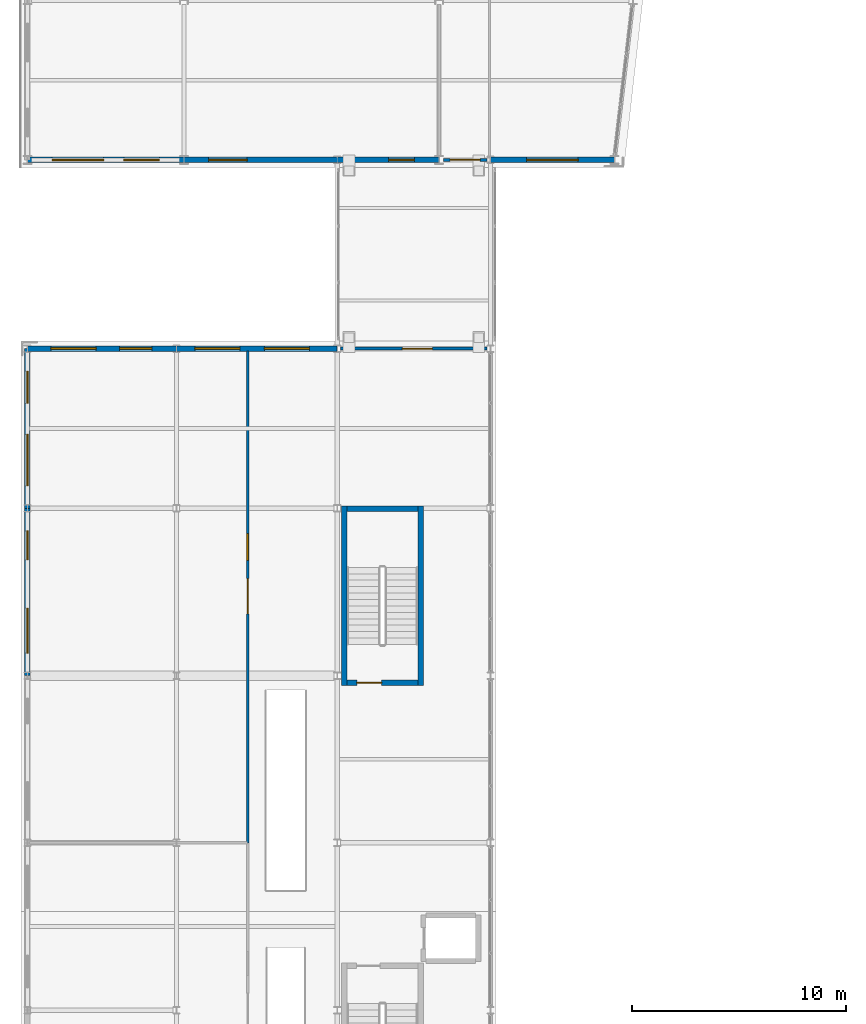
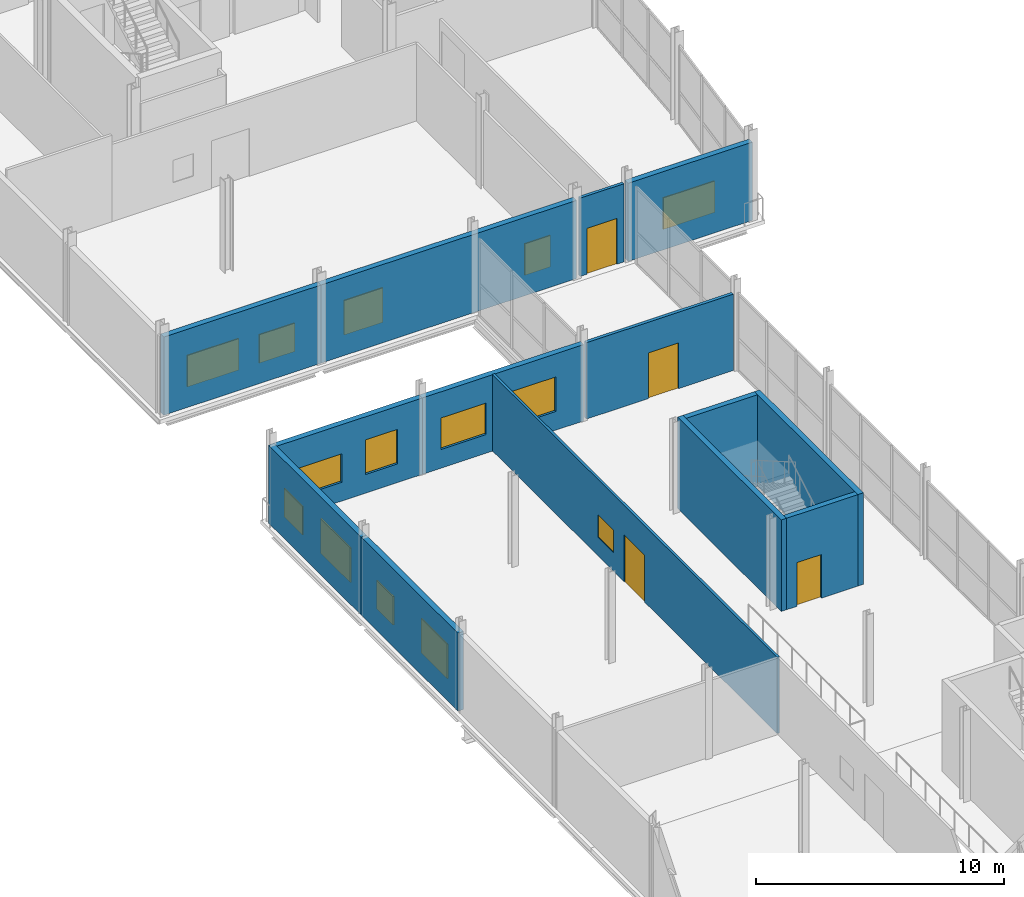
# One storey, part 63 of 77: 14 walls, 14 windows, 4 doors, 18 openings.
"""IFC4 building model written with IfcOpenShell, lengths in metres."""

import ifcopenshell
import ifcopenshell.guid

model = None  # the IFC model being written
_history = None  # IfcOwnerHistory: only IFC2X3 demands one
_inside = {}  # id of a spatial element -> (the spatial element, [elements in it])
_under = {}  # id of a project, library or spatial element -> (it, [spatial elements below it])
_declared = {}  # id of a project -> (the project, [libraries it declares])
_typed = {}  # id of a type object -> (the type object, [elements of that type])
_made_of = {}  # id of a material, layer set ... -> (it, [elements and type objects made of it])


def new_model(schema):
    """Start an empty IFC model of exactly this schema.

    Asked for "IFC4X3", IfcOpenShell would pick the latest addendum, in which some entities
    have other attributes; the version numbers below select the first issue.
    IFC2X3 requires an IfcOwnerHistory on every rooted entity: one is made here for all.
    """
    global model, _history
    if schema == "IFC4X3":
        model = ifcopenshell.file(schema_version=(4, 3, 0, 0))
    else:
        model = ifcopenshell.file(schema=schema)
    _inside.clear()
    _under.clear()
    _declared.clear()
    _typed.clear()
    _made_of.clear()
    _history = None
    if model.schema == "IFC2X3":
        org = make("IfcOrganization", Name="unknown")
        user = make(
            "IfcPersonAndOrganization",
            ThePerson=make("IfcPerson", FamilyName="unknown"),
            TheOrganization=org,
        )
        app = make(
            "IfcApplication",
            ApplicationDeveloper=org,
            Version="unknown",
            ApplicationFullName="unknown",
            ApplicationIdentifier="unknown",
        )
        _history = make(
            "IfcOwnerHistory",
            OwningUser=user,
            OwningApplication=app,
            ChangeAction="ADDED",
            CreationDate=0,
        )
    return model


def make(cls, **values):
    """One entity of the class cls with the attributes given. An attribute that is None is left unset."""
    return model.create_entity(
        cls, **{name: value for name, value in values.items() if value is not None}
    )


def rooted(cls, **values):
    """An entity with a GlobalId (a new one), such as an element, a storey or a relation."""
    return make(cls, GlobalId=ifcopenshell.guid.new(), OwnerHistory=_history, **values)


def si_unit(unit_type, name, prefix=None):
    """IfcSIUnit, for example si_unit("LENGTHUNIT", "METRE", prefix="MILLI")."""
    return make("IfcSIUnit", UnitType=unit_type, Prefix=prefix, Name=name)


def assignment(units):
    """IfcUnitAssignment: the units of a project."""
    return None if units is None else make("IfcUnitAssignment", Units=units)


def point(xyz):
    """IfcCartesianPoint."""
    return None if xyz is None else make("IfcCartesianPoint", Coordinates=xyz)


def direction(xyz):
    """IfcDirection."""
    return None if xyz is None else make("IfcDirection", DirectionRatios=xyz)


def frame(location, z_axis=None, x_axis=None):
    """IfcAxis2Placement3D, a coordinate frame: its origin and axes. An axis left out is left unset."""
    return make(
        "IfcAxis2Placement3D",
        Location=point(location),
        Axis=direction(z_axis),
        RefDirection=direction(x_axis),
    )


def frame_2d(location, x_axis=None):
    """IfcAxis2Placement2D, a coordinate frame in the plane: its origin and x axis."""
    return make(
        "IfcAxis2Placement2D", Location=point(location), RefDirection=direction(x_axis)
    )


def origin():
    """The frame at (0, 0, 0) with its axes left unset."""
    return frame((0.0, 0.0, 0.0))


def place(relative_to, where):
    """IfcLocalPlacement: puts the frame where relative to a parent placement (None: the world)."""
    return make(
        "IfcLocalPlacement", PlacementRelTo=relative_to, RelativePlacement=where
    )


def context(
    kind, dimensions, precision=None, world=None, true_north=None, identifier=None
):
    """IfcGeometricRepresentationContext, for example the 3D "Model" context."""
    return make(
        "IfcGeometricRepresentationContext",
        ContextIdentifier=identifier,
        ContextType=kind,
        CoordinateSpaceDimension=dimensions,
        Precision=precision,
        WorldCoordinateSystem=world,
        TrueNorth=true_north,
    )


def subcontext(parent, identifier, kind, view, scale=None):
    """IfcGeometricRepresentationSubContext, for example "Body" below "Model"."""
    return make(
        "IfcGeometricRepresentationSubContext",
        ContextIdentifier=identifier,
        ContextType=kind,
        ParentContext=parent,
        TargetScale=scale,
        TargetView=view,
    )


def project(units=None, contexts=None):
    """IfcProject with its units and contexts."""
    return rooted(
        "IfcProject",
        Name="project",
        RepresentationContexts=contexts,
        UnitsInContext=assignment(units),
    )


def spatial(cls, under=None, at=None, **own):
    """A site, building, storey or space (cls), placed at a placement, below another one or the project."""
    s = rooted(cls, ObjectPlacement=at, **own)
    if under is not None:
        _under.setdefault(under.id(), (under, []))[1].append(s)
    return s


def profile(cls, at=None, kind="AREA", **sizes):
    """A parametric profile (cls). Its sizes go by their IFC names, for example OverallWidth=200.0."""
    return make(cls, ProfileType=kind, Position=at, **sizes)


def rectangle(**sizes):
    """IfcRectangleProfileDef."""
    return profile("IfcRectangleProfileDef", **sizes)


def extrude(swept, where, along, depth):
    """IfcExtrudedAreaSolid: the profile swept, set in the frame where, extruded along a direction by depth."""
    return make(
        "IfcExtrudedAreaSolid",
        SweptArea=swept,
        Position=where,
        ExtrudedDirection=direction(along),
        Depth=depth,
    )


def shape(context_of_items, identifier, shape_type, items):
    """IfcShapeRepresentation: the items that make up one representation, for example the "Body"."""
    return make(
        "IfcShapeRepresentation",
        ContextOfItems=context_of_items,
        RepresentationIdentifier=identifier,
        RepresentationType=shape_type,
        Items=items,
    )


def material(Name=None, Category=None):
    """IfcMaterial."""
    return make("IfcMaterial", Name=Name, Category=Category)


def layer(
    of_material, thickness, ventilated=None, Name=None, Category=None, Priority=None
):
    """IfcMaterialLayer: one layer of a wall or slab, of a material (None: an air gap)."""
    return make(
        "IfcMaterialLayer",
        Material=of_material,
        LayerThickness=thickness,
        IsVentilated=ventilated,
        Name=Name,
        Category=Category,
        Priority=Priority,
    )


def layer_set(layers, Name=None):
    """IfcMaterialLayerSet."""
    return make("IfcMaterialLayerSet", MaterialLayers=layers, LayerSetName=Name)


def made_of(thing, what):
    """Note that an element or type object is made of a material, layer set ...; save() writes the relation."""
    if what is not None:
        _made_of.setdefault(what.id(), (what, []))[1].append(thing)
    return thing


def type_object(cls, material=None, **own):
    """A type object (cls), such as IfcWallType, which elements share."""
    return made_of(rooted(cls, **own), material)


def element(
    cls,
    number,
    at=None,
    inside=None,
    cuts=None,
    type_object=None,
    material=None,
    context=None,
    identifier="Body",
    shape_type=None,
    held_by="IfcProductDefinitionShape",
    body=None,
    shapes=None,
    **own,
):
    """One element of the class cls, such as IfcWall. Its Tag is "e" and its number.

    at: its placement. inside: the storey or other place that contains it. cuts: it is an
    opening in that element (IfcRelVoidsElement). A single representation is given by context,
    identifier, shape_type and body (its items); several are given by shapes. held_by: the class
    of the entity that holds the representations. save() writes the other relations.
    """
    e = rooted(cls, Tag="e%d" % number, ObjectPlacement=at, **own)
    if body is not None:
        shapes = [shape(context, identifier, shape_type, body)]
    if shapes is not None:
        e.Representation = make(held_by, Representations=shapes)
    if inside is not None:
        _inside.setdefault(inside.id(), (inside, []))[1].append(e)
    if cuts is not None:
        rooted(
            "IfcRelVoidsElement", RelatingBuildingElement=cuts, RelatedOpeningElement=e
        )
    if type_object is not None:
        _typed.setdefault(type_object.id(), (type_object, []))[1].append(e)
    return made_of(e, material)


def fill(opening, filler):
    """IfcRelFillsElement: the door or window that sits in an opening."""
    return rooted(
        "IfcRelFillsElement",
        RelatingOpeningElement=opening,
        RelatedBuildingElement=filler,
    )


def aggregate(whole, parts):
    """IfcRelAggregates: a whole, such as a stair, and the parts it consists of."""
    return rooted("IfcRelAggregates", RelatingObject=whole, RelatedObjects=parts)


def save(model, path):
    """Write the relations noted so far, then the file.

    IfcRelAggregates (storeys below a building ...), IfcRelContainedInSpatialStructure (elements
    in a storey), IfcRelDefinesByType, IfcRelAssociatesMaterial and IfcRelDeclares: one each for
    every whole, place, type object, material and project.
    """
    for whole, parts in _under.values():
        aggregate(whole, parts)
    for where, things in _inside.values():
        rooted(
            "IfcRelContainedInSpatialStructure",
            RelatedElements=things,
            RelatingStructure=where,
        )
    for kind, things in _typed.values():
        rooted("IfcRelDefinesByType", RelatedObjects=things, RelatingType=kind)
    for what, things in _made_of.values():
        rooted("IfcRelAssociatesMaterial", RelatedObjects=things, RelatingMaterial=what)
    for by, libraries in _declared.values():
        rooted("IfcRelDeclares", RelatingContext=by, RelatedDefinitions=libraries)
    model.write(path)


model = new_model("IFC4")

# Units and contexts
model_context = context("Model", 3, precision=1e-05, world=origin(), true_north=direction((0.0, 1.0)))
body_context = subcontext(model_context, "Body", "Model", "MODEL_VIEW")
ifc_project = project(units=[si_unit("LENGTHUNIT", "METRE"), si_unit("AREAUNIT", "SQUARE_METRE"), si_unit("VOLUMEUNIT", "CUBIC_METRE"), si_unit("PLANEANGLEUNIT", "RADIAN"), si_unit("MASSUNIT", "GRAM", prefix="KILO")], contexts=[model_context])

# Site, building, storey
site_placement = place(None, origin())
site = spatial("IfcSite", under=ifc_project, at=site_placement, CompositionType="ELEMENT")
building_placement = place(site_placement, origin())
building = spatial("IfcBuilding", under=site, at=building_placement, Name="Quillay Park Conservatory", CompositionType="ELEMENT")
storey_placement = place(building_placement, frame((0.0, 0.0, 5.39990234375)))
storey = spatial("IfcBuildingStorey", under=building, at=storey_placement, Name="L01", CompositionType="ELEMENT", Elevation=5.39990234375)

# Wall, openings, window, door
ifc_material_1 = material(Name="Steel-Stud Acoustic Gypsum Board Partition", Category="steel")
ifc_layer_1 = layer(ifc_material_1, 0.114990234375)
ifc_layer_set_1 = layer_set([ifc_layer_1], Name="ACOUSTIC GYPSUM PARTITION 115 (Steel-Stud Acoustic Gypsum Board Partition)")
wall_type_1 = type_object("IfcWallType", Name="ACOUSTIC GYPSUM PARTITION 115", PredefinedType="PARTITIONING", material=ifc_layer_set_1)
wall_1_placement = place(storey_placement, frame((10.820068359375, 31.199951171875, 0.0), z_axis=(0.0, 0.0, 1.0), x_axis=(0.0, 1.0, 0.0)))
wall_1 = element("IfcWall", 1, at=wall_1_placement, inside=storey, type_object=wall_type_1, Name="L01 Education Studio East Wall", PredefinedType="PARTITIONING", context=body_context, shape_type="SweptSolid", body=[
    extrude(rectangle(XDim=22.949951171875, YDim=0.114990234375, at=frame_2d((11.47509765625, 0.0))), origin(), (0.0, 0.0, 1.0), 3.756103515625),
])
opening_1_placement = place(wall_1_placement, frame((10.675048828125, 0.0, 0.0)))
opening_1 = element("IfcOpeningElement", 2, at=opening_1_placement, cuts=wall_1, Name="Opening D-RM27", PredefinedType="OPENING", context=body_context, shape_type="SweptSolid", body=[
    extrude(rectangle(XDim=1.64990234375, YDim=2.300048828125, at=frame_2d((0.824951171875, 1.14990234375))), frame((0.0, 0.0576171875, 0.0), z_axis=(0.0, -1.0, 0.0), x_axis=(1.0, 0.0, 0.0)), (0.0, 0.0, 1.0), 0.114990234375),
])
opening_2_placement = place(wall_1_placement, frame((13.175048828125, 0.0, 0.919921875)))
opening_2 = element("IfcOpeningElement", 3, at=opening_2_placement, cuts=wall_1, Name="Opening W-IN04", PredefinedType="OPENING", context=body_context, shape_type="SweptSolid", body=[
    extrude(rectangle(XDim=1.25, YDim=1.10009765625, at=frame_2d((0.625, 0.550048828125))), frame((0.0, 0.0576171875, 0.0), z_axis=(0.0, -1.0, 0.0), x_axis=(1.0, 0.0, 0.0)), (0.0, 0.0, 1.0), 0.114990234375),
])
ifc_material_2 = material(Name="Low-E Double Glazing (Laminated Tempered)", Category="glass")
window_type_1 = type_object("IfcWindowType", Name="OPERABLE VENT WINDOW 1250 X1100", PartitioningType="SINGLE_PANEL", PredefinedType="WINDOW", material=ifc_material_2)
window_1_placement = place(opening_2_placement, origin())
window_1 = element("IfcWindow", 4, at=window_1_placement, inside=storey, type_object=window_type_1, Name="L01 Laboratory Vision Panel 004", OverallHeight=1.10009765625, OverallWidth=1.25, PartitioningType="SINGLE_PANEL", PredefinedType="WINDOW", context=body_context, shape_type="SweptSolid", body=[
    extrude(rectangle(XDim=1.25, YDim=1.10009765625, at=frame_2d((0.625, 0.550048828125))), frame((0.0, 0.030029296875, 0.0), z_axis=(0.0, -1.0, 0.0), x_axis=(1.0, 0.0, 0.0)), (0.0, 0.0, 1.0), 0.06005859375),
])
fill(opening_2, window_1)
ifc_material_3 = material(Name="Thermally Broken Anodised Aluminium 6063-T6", Category="aluminium")
door_type_1 = type_object("IfcDoorType", Name="SINGLE SWING DOOR 1650 X2300", OperationType="NOTDEFINED", PredefinedType="DOOR", material=ifc_material_3)
door_1_placement = place(opening_1_placement, origin())
door_1 = element("IfcDoor", 5, at=door_1_placement, inside=storey, type_object=door_type_1, Name="L01 Door to Youth Ethnobotany Education Studio", OperationType="SINGLE_SWING_LEFT", OverallHeight=2.300048828125, OverallWidth=1.64990234375, PredefinedType="DOOR", context=body_context, shape_type="SweptSolid", body=[
    extrude(rectangle(XDim=1.64990234375, YDim=2.300048828125, at=frame_2d((0.824951171875, 1.14990234375))), frame((0.0, 0.02490234375, 0.0), z_axis=(0.0, -1.0, 0.0), x_axis=(1.0, 0.0, 0.0)), (0.0, 0.0, 1.0), 0.050048828125),
])
fill(opening_1, door_1)

# Wall, opening, door
ifc_material_4 = material(Name="Steel-Stud Acoustic Gypsum Board Partition", Category="steel")
ifc_layer_2 = layer(ifc_material_4, 0.139892578125)
ifc_layer_set_2 = layer_set([ifc_layer_2], Name="ACOUSTIC GYPSUM PARTITION 140 (Steel-Stud Acoustic Gypsum Board Partition)")
wall_type_2 = type_object("IfcWallType", Name="ACOUSTIC GYPSUM PARTITION 140", PredefinedType="PARTITIONING", material=ifc_layer_set_2)
wall_2_placement = place(storey_placement, frame((19.949951171875, 63.050048828125, 0.0), z_axis=(0.0, 0.0, 1.0), x_axis=(1.0, 0.0, 0.0)))
wall_2 = element("IfcWall", 6, at=wall_2_placement, inside=storey, type_object=wall_type_2, Name="L01 Bridge LB-1 North Threshold Wall", PredefinedType="PARTITIONING", context=body_context, shape_type="SweptSolid", body=[
    extrude(rectangle(XDim=2.0400390625, YDim=0.139892578125, at=frame_2d((1.02001953125, 0.0))), origin(), (0.0, 0.0, 1.0), 3.84716796875),
])
opening_3_placement = place(wall_2_placement, frame((0.320068359375, 0.0, 0.0)))
opening_3 = element("IfcOpeningElement", 7, at=opening_3_placement, cuts=wall_2, Name="Opening D-LB03", PredefinedType="OPENING", context=body_context, shape_type="SweptSolid", body=[
    extrude(rectangle(XDim=1.39990234375, YDim=2.25, at=frame_2d((0.699951171875, 1.125))), frame((0.0, 0.06982421875, 0.0), z_axis=(0.0, -1.0, 0.0), x_axis=(1.0, 0.0, 0.0)), (0.0, 0.0, 1.0), 0.139892578125),
])
ifc_material_5 = material(Name="Steel ASTM A572 Grade 50", Category="steel")
door_type_2 = type_object("IfcDoorType", Name="FIRE RATED LOBBY DOOR 1400 X2250", OperationType="NOTDEFINED", PredefinedType="DOOR", material=ifc_material_5)
door_2_placement = place(opening_3_placement, origin())
door_2 = element("IfcDoor", 8, at=door_2_placement, inside=storey, type_object=door_type_2, Name="L01 Door to L01 Covered Link Passage LB-1 North", OperationType="SINGLE_SWING_LEFT", OverallHeight=2.25, OverallWidth=1.39990234375, PredefinedType="DOOR", context=body_context, shape_type="SweptSolid", body=[
    extrude(rectangle(XDim=1.39990234375, YDim=2.25, at=frame_2d((0.699951171875, 1.125))), frame((0.0, 0.02490234375, 0.0), z_axis=(0.0, -1.0, 0.0), x_axis=(1.0, 0.0, 0.0)), (0.0, 0.0, 1.0), 0.050048828125),
])
fill(opening_3, door_2)

ifc_material_6 = material(Name="Steel-Stud Acoustic Gypsum Board Partition", Category="steel")
ifc_layer_3 = layer(ifc_material_6, 0.14990234375)
ifc_layer_set_3 = layer_set([ifc_layer_3], Name="ACOUSTIC GYPSUM PARTITION 150 (Steel-Stud Acoustic Gypsum Board Partition)")
wall_type_3 = type_object("IfcWallType", Name="ACOUSTIC GYPSUM PARTITION 150", PredefinedType="PARTITIONING", material=ifc_layer_set_3)
wall_3_placement = place(storey_placement, frame((15.159912109375, 54.25, 0.0), z_axis=(0.0, 0.0, 1.0), x_axis=(1.0, 0.0, 0.0)))
wall_3 = element("IfcWall", 9, at=wall_3_placement, inside=storey, type_object=wall_type_3, Name="L01 Bridge LB-1 South Threshold Wall", PredefinedType="PARTITIONING", context=body_context, shape_type="SweptSolid", body=[
    extrude(rectangle(XDim=6.830078125, YDim=0.14990234375, at=frame_2d((3.4150390625, 0.0))), origin(), (0.0, 0.0, 1.0), 3.756103515625),
])
opening_4_placement = place(wall_3_placement, frame((2.875, 0.0, 0.0)))
opening_4 = element("IfcOpeningElement", 10, at=opening_4_placement, cuts=wall_3, Name="Opening D-LB03", PredefinedType="OPENING", context=body_context, shape_type="SweptSolid", body=[
    extrude(rectangle(XDim=1.39990234375, YDim=2.25, at=frame_2d((0.699951171875, 1.125))), frame((0.0, 0.074951171875, 0.0), z_axis=(0.0, -1.0, 0.0), x_axis=(1.0, 0.0, 0.0)), (0.0, 0.0, 1.0), 0.14990234375),
])
door_3_placement = place(opening_4_placement, origin())
door_3 = element("IfcDoor", 11, at=door_3_placement, inside=storey, type_object=door_type_2, Name="L01 Door to L01 Covered Link Passage LB-1 South", OperationType="SINGLE_SWING_LEFT", OverallHeight=2.25, OverallWidth=1.39990234375, PredefinedType="DOOR", context=body_context, shape_type="SweptSolid", body=[
    extrude(rectangle(XDim=1.39990234375, YDim=2.25, at=frame_2d((0.699951171875, 1.125))), frame((0.0, 0.02490234375, 0.0), z_axis=(0.0, -1.0, 0.0), x_axis=(1.0, 0.0, 0.0)), (0.0, 0.0, 1.0), 0.050048828125),
])
fill(opening_4, door_3)

# Walls
ifc_material_7 = material(Name="Concrete C40/50 (NCh170 Concrete C40/50)", Category="concrete")
ifc_layer_4 = layer(ifc_material_7, 0.25)
ifc_layer_set_4 = layer_set([ifc_layer_4], Name="CORE SHEAR WALL 250 (Concrete C40/50 (NCh170 Concrete C40/50))")
wall_type_4 = type_object("IfcWallType", Name="CORE SHEAR WALL 250", PredefinedType="SHEAR", material=ifc_layer_set_4)
for number, where, z_axis, x_axis, name in (
    (12, (15.324951171875, 38.550048828125, 0.0), (0.0, 0.0, 1.0), (0.0, 1.0, 0.0), "L01 Core Shear Wall WL-V2W-L01"),
    (13, (18.89501953125, 38.550048828125, 0.0), (0.0, 0.0, 1.0), (0.0, 1.0, 0.0), "L01 Core Shear Wall WL-V2E-L01"),
):
    element("IfcWall", number, at=place(storey_placement, frame(where, z_axis=z_axis, x_axis=x_axis)), inside=storey, type_object=wall_type_4, Name=name, PredefinedType="SHEAR", context=body_context, shape_type="SweptSolid", body=[
        extrude(rectangle(XDim=8.349853515625, YDim=0.25, at=frame_2d((4.1748046875, 0.0))), origin(), (0.0, 0.0, 1.0), 4.5),
    ])
wall_4_placement = place(storey_placement, frame((15.449951171875, 46.77490234375, 0.0), z_axis=(0.0, 0.0, 1.0), x_axis=(1.0, 0.0, 0.0)))
element("IfcWall", 14, at=wall_4_placement, inside=storey, type_object=wall_type_4, Name="L01 Core Shear Wall WL-V2N-L01", PredefinedType="SHEAR", context=body_context, shape_type="SweptSolid", body=[
    extrude(rectangle(XDim=3.320068359375, YDim=0.25, at=frame_2d((1.66015625, 0.0))), origin(), (0.0, 0.0, 1.0), 4.5),
])

# Wall, opening, door
wall_5_placement = place(storey_placement, frame((18.77001953125, 38.675048828125, 0.0), z_axis=(0.0, 0.0, 1.0), x_axis=(-1.0, 0.0, 0.0)))
wall_5 = element("IfcWall", 15, at=wall_5_placement, inside=storey, type_object=wall_type_4, Name="L01 Core Shear Wall WL-V2D-L01", PredefinedType="SHEAR", context=body_context, shape_type="SweptSolid", body=[
    extrude(rectangle(XDim=3.320068359375, YDim=0.25, at=frame_2d((1.66015625, 0.0))), origin(), (0.0, 0.0, 1.0), 4.5),
])
opening_5_placement = place(wall_5_placement, frame((1.699951171875, 0.0, 0.0)))
opening_5 = element("IfcOpeningElement", 16, at=opening_5_placement, cuts=wall_5, Name="Opening D-ST02", PredefinedType="OPENING", context=body_context, shape_type="SweptSolid", body=[
    extrude(rectangle(XDim=1.14990234375, YDim=2.14990234375, at=frame_2d((0.574951171875, 1.074951171875))), frame((0.0, 0.125, 0.0), z_axis=(0.0, -1.0, 0.0), x_axis=(1.0, 0.0, 0.0)), (0.0, 0.0, 1.0), 0.25),
])
ifc_material_8 = material(Name="Steel ASTM A572 Grade 50", Category="steel")
door_type_3 = type_object("IfcDoorType", Name="FIRE RATED STAIR DOOR 1150 X2150", OperationType="NOTDEFINED", PredefinedType="DOOR", material=ifc_material_8)
door_4_placement = place(opening_5_placement, origin())
door_4 = element("IfcDoor", 17, at=door_4_placement, inside=storey, type_object=door_type_3, Name="L01 Visitor Stair ST-V2 Door", OperationType="SINGLE_SWING_RIGHT", OverallHeight=2.14990234375, OverallWidth=1.14990234375, PredefinedType="DOOR", context=body_context, shape_type="SweptSolid", body=[
    extrude(rectangle(XDim=1.14990234375, YDim=2.14990234375, at=frame_2d((0.574951171875, 1.074951171875))), frame((0.0, 0.02490234375, 0.0), z_axis=(0.0, -1.0, 0.0), x_axis=(1.0, 0.0, 0.0)), (0.0, 0.0, 1.0), 0.050048828125),
])
fill(opening_5, door_4)

# Wall, openings, windows
ifc_material_9 = material(Name="Glass-Fibre Reinforced Concrete (GRC) Cladding", Category="concrete")
ifc_layer_5 = layer(ifc_material_9, 0.260009765625)
ifc_layer_set_5 = layer_set([ifc_layer_5], Name="EXTERIOR SOLID WALL 260 (Glass-Fibre Reinforced Concrete (GRC) Cladding)")
wall_type_5 = type_object("IfcWallType", Name="EXTERIOR SOLID WALL 260", PredefinedType="SOLIDWALL", material=ifc_layer_set_5)
wall_6_placement = place(storey_placement, frame((0.550048828125, 39.0, 0.0), z_axis=(0.0, 0.0, 1.0), x_axis=(0.0, 1.0, 0.0)))
wall_6 = element("IfcWall", 18, at=wall_6_placement, inside=storey, type_object=wall_type_5, Name="L01 External Wall WL-EXT-V3W-L01-5", PredefinedType="SOLIDWALL", context=body_context, shape_type="SweptSolid", body=[
    extrude(rectangle(XDim=7.800048828125, YDim=0.260009765625, at=frame_2d((3.89990234375, 0.0))), origin(), (0.0, 0.0, 1.0), 3.83203125),
])
opening_6_placement = place(wall_6_placement, frame((1.050048828125, 0.0, 0.919921875)))
opening_6 = element("IfcOpeningElement", 19, at=opening_6_placement, cuts=wall_6, Name="Opening W-15", PredefinedType="OPENING", context=body_context, shape_type="SweptSolid", body=[
    extrude(rectangle(XDim=2.10009765625, YDim=1.699951171875, at=frame_2d((1.050048828125, 0.85009765625))), frame((0.0, 0.1298828125, 0.0), z_axis=(0.0, -1.0, 0.0), x_axis=(1.0, 0.0, 0.0)), (0.0, 0.0, 1.0), 0.260009765625),
])
opening_7_placement = place(wall_6_placement, frame((5.39990234375, 0.0, 0.919921875)))
opening_7 = element("IfcOpeningElement", 20, at=opening_7_placement, cuts=wall_6, Name="Opening W-02", PredefinedType="OPENING", context=body_context, shape_type="SweptSolid", body=[
    extrude(rectangle(XDim=1.35009765625, YDim=1.39990234375, at=frame_2d((0.675048828125, 0.699951171875))), frame((0.0, 0.1298828125, 0.0), z_axis=(0.0, -1.0, 0.0), x_axis=(1.0, 0.0, 0.0)), (0.0, 0.0, 1.0), 0.260009765625),
])
ifc_material_10 = material(Name="Low-E Double Glazing (Laminated Tempered)", Category="glass")
window_type_2 = type_object("IfcWindowType", Name="FIXED CASEMENT WINDOW 1350 X1400", PartitioningType="SINGLE_PANEL", PredefinedType="WINDOW", material=ifc_material_10)
window_2_placement = place(opening_7_placement, origin())
window_2 = element("IfcWindow", 21, at=window_2_placement, inside=storey, type_object=window_type_2, Name="L01 Exterior Window 0026", OverallHeight=1.39990234375, OverallWidth=1.35009765625, PartitioningType="SINGLE_PANEL", PredefinedType="WINDOW", context=body_context, shape_type="SweptSolid", body=[
    extrude(rectangle(XDim=1.35009765625, YDim=1.39990234375, at=frame_2d((0.675048828125, 0.699951171875))), frame((0.0, 0.030029296875, 0.0), z_axis=(0.0, -1.0, 0.0), x_axis=(1.0, 0.0, 0.0)), (0.0, 0.0, 1.0), 0.06005859375),
])
fill(opening_7, window_2)
ifc_material_11 = material(Name="Low-E Double Glazing (Laminated Tempered)", Category="glass")
window_type_3 = type_object("IfcWindowType", Name="FIXED CASEMENT WINDOW 2100 X1700", PartitioningType="DOUBLE_PANEL_VERTICAL", PredefinedType="WINDOW", material=ifc_material_11)
window_3_placement = place(opening_6_placement, origin())
window_3 = element("IfcWindow", 22, at=window_3_placement, inside=storey, type_object=window_type_3, Name="L01 Exterior Window 0025", OverallHeight=1.699951171875, OverallWidth=2.10009765625, PartitioningType="DOUBLE_PANEL_VERTICAL", PredefinedType="WINDOW", context=body_context, shape_type="SweptSolid", body=[
    extrude(rectangle(XDim=2.10009765625, YDim=1.699951171875, at=frame_2d((1.050048828125, 0.85009765625))), frame((0.0, 0.030029296875, 0.0), z_axis=(0.0, -1.0, 0.0), x_axis=(1.0, 0.0, 0.0)), (0.0, 0.0, 1.0), 0.06005859375),
])
fill(opening_6, window_3)

wall_7_placement = place(storey_placement, frame((0.550048828125, 46.800048828125, 0.0), z_axis=(0.0, 0.0, 1.0), x_axis=(0.0, 1.0, 0.0)))
wall_7 = element("IfcWall", 23, at=wall_7_placement, inside=storey, type_object=wall_type_5, Name="L01 External Wall WL-EXT-V3W-L01-6", PredefinedType="SOLIDWALL", context=body_context, shape_type="SweptSolid", body=[
    extrude(rectangle(XDim=7.449951171875, YDim=0.260009765625, at=frame_2d((3.72509765625, 0.0))), origin(), (0.0, 0.0, 1.0), 3.83203125),
])
opening_8_placement = place(wall_7_placement, frame((1.050048828125, 0.0, 0.919921875)))
opening_8 = element("IfcOpeningElement", 24, at=opening_8_placement, cuts=wall_7, Name="Opening W-16", PredefinedType="OPENING", context=body_context, shape_type="SweptSolid", body=[
    extrude(rectangle(XDim=2.39990234375, YDim=1.699951171875, at=frame_2d((1.199951171875, 0.85009765625))), frame((0.0, 0.1298828125, 0.0), z_axis=(0.0, -1.0, 0.0), x_axis=(1.0, 0.0, 0.0)), (0.0, 0.0, 1.0), 0.260009765625),
])
opening_9_placement = place(wall_7_placement, frame((4.89990234375, 0.0, 0.919921875)))
opening_9 = element("IfcOpeningElement", 25, at=opening_9_placement, cuts=wall_7, Name="Opening W-03", PredefinedType="OPENING", context=body_context, shape_type="SweptSolid", body=[
    extrude(rectangle(XDim=1.5, YDim=1.39990234375, at=frame_2d((0.75, 0.699951171875))), frame((0.0, 0.1298828125, 0.0), z_axis=(0.0, -1.0, 0.0), x_axis=(1.0, 0.0, 0.0)), (0.0, 0.0, 1.0), 0.260009765625),
])
ifc_material_12 = material(Name="Low-E Double Glazing (Laminated Tempered)", Category="glass")
window_type_4 = type_object("IfcWindowType", Name="FIXED CASEMENT WINDOW 1500 X1400", PartitioningType="SINGLE_PANEL", PredefinedType="WINDOW", material=ifc_material_12)
window_4_placement = place(opening_9_placement, origin())
window_4 = element("IfcWindow", 26, at=window_4_placement, inside=storey, type_object=window_type_4, Name="L01 Exterior Window 0028", OverallHeight=1.39990234375, OverallWidth=1.5, PartitioningType="SINGLE_PANEL", PredefinedType="WINDOW", context=body_context, shape_type="SweptSolid", body=[
    extrude(rectangle(XDim=1.5, YDim=1.39990234375, at=frame_2d((0.75, 0.699951171875))), frame((0.0, 0.030029296875, 0.0), z_axis=(0.0, -1.0, 0.0), x_axis=(1.0, 0.0, 0.0)), (0.0, 0.0, 1.0), 0.06005859375),
])
fill(opening_9, window_4)
ifc_material_13 = material(Name="Low-E Double Glazing (Laminated Tempered)", Category="glass")
window_type_5 = type_object("IfcWindowType", Name="FIXED CASEMENT WINDOW 2400 X1700", PartitioningType="DOUBLE_PANEL_VERTICAL", PredefinedType="WINDOW", material=ifc_material_13)
window_5_placement = place(opening_8_placement, origin())
window_5 = element("IfcWindow", 27, at=window_5_placement, inside=storey, type_object=window_type_5, Name="L01 Exterior Window 0027", OverallHeight=1.699951171875, OverallWidth=2.39990234375, PartitioningType="DOUBLE_PANEL_VERTICAL", PredefinedType="WINDOW", context=body_context, shape_type="SweptSolid", body=[
    extrude(rectangle(XDim=2.39990234375, YDim=1.699951171875, at=frame_2d((1.199951171875, 0.85009765625))), frame((0.0, 0.030029296875, 0.0), z_axis=(0.0, -1.0, 0.0), x_axis=(1.0, 0.0, 0.0)), (0.0, 0.0, 1.0), 0.06005859375),
])
fill(opening_8, window_5)

wall_8_placement = place(storey_placement, frame((0.550048828125, 54.25, 0.0), z_axis=(0.0, 0.0, 1.0), x_axis=(1.0, 0.0, 0.0)))
wall_8 = element("IfcWall", 28, at=wall_8_placement, inside=storey, type_object=wall_type_5, Name="L01 External Wall WL-EXT-V3N1-L01", PredefinedType="SOLIDWALL", context=body_context, shape_type="SweptSolid", body=[
    extrude(rectangle(XDim=6.949951171875, YDim=0.260009765625, at=frame_2d((3.47509765625, 0.0))), origin(), (0.0, 0.0, 1.0), 3.756103515625),
])
opening_10_placement = place(wall_8_placement, frame((1.10009765625, 0.0, 0.919921875)))
opening_10 = element("IfcOpeningElement", 29, at=opening_10_placement, cuts=wall_8, Name="Opening W-06", PredefinedType="OPENING", context=body_context, shape_type="SweptSolid", body=[
    extrude(rectangle(XDim=2.10009765625, YDim=1.39990234375, at=frame_2d((1.050048828125, 0.699951171875))), frame((0.0, 0.1298828125, 0.0), z_axis=(0.0, -1.0, 0.0), x_axis=(1.0, 0.0, 0.0)), (0.0, 0.0, 1.0), 0.260009765625),
])
opening_11_placement = place(wall_8_placement, frame((4.300048828125, 0.0, 0.919921875)))
opening_11 = element("IfcOpeningElement", 30, at=opening_11_placement, cuts=wall_8, Name="Opening W-13", PredefinedType="OPENING", context=body_context, shape_type="SweptSolid", body=[
    extrude(rectangle(XDim=1.5, YDim=1.699951171875, at=frame_2d((0.75, 0.85009765625))), frame((0.0, 0.1298828125, 0.0), z_axis=(0.0, -1.0, 0.0), x_axis=(1.0, 0.0, 0.0)), (0.0, 0.0, 1.0), 0.260009765625),
])
ifc_material_14 = material(Name="Low-E Double Glazing (Laminated Tempered)", Category="glass")
window_type_6 = type_object("IfcWindowType", Name="FIXED CASEMENT WINDOW 1500 X1700", PartitioningType="SINGLE_PANEL", PredefinedType="WINDOW", material=ifc_material_14)
window_6_placement = place(opening_11_placement, origin())
window_6 = element("IfcWindow", 31, at=window_6_placement, inside=storey, type_object=window_type_6, Name="L01 Exterior Window 0030", OverallHeight=1.699951171875, OverallWidth=1.5, PartitioningType="SINGLE_PANEL", PredefinedType="WINDOW", context=body_context, shape_type="SweptSolid", body=[
    extrude(rectangle(XDim=1.5, YDim=1.699951171875, at=frame_2d((0.75, 0.85009765625))), frame((0.0, 0.030029296875, 0.0), z_axis=(0.0, -1.0, 0.0), x_axis=(1.0, 0.0, 0.0)), (0.0, 0.0, 1.0), 0.06005859375),
])
fill(opening_11, window_6)
ifc_material_15 = material(Name="Low-E Double Glazing (Laminated Tempered)", Category="glass")
window_type_7 = type_object("IfcWindowType", Name="FIXED CASEMENT WINDOW 2100 X1400", PartitioningType="DOUBLE_PANEL_VERTICAL", PredefinedType="WINDOW", material=ifc_material_15)
window_7_placement = place(opening_10_placement, origin())
window_7 = element("IfcWindow", 32, at=window_7_placement, inside=storey, type_object=window_type_7, Name="L01 Exterior Window 0029", OverallHeight=1.39990234375, OverallWidth=2.10009765625, PartitioningType="DOUBLE_PANEL_VERTICAL", PredefinedType="WINDOW", context=body_context, shape_type="SweptSolid", body=[
    extrude(rectangle(XDim=2.10009765625, YDim=1.39990234375, at=frame_2d((1.050048828125, 0.699951171875))), frame((0.0, 0.030029296875, 0.0), z_axis=(0.0, -1.0, 0.0), x_axis=(1.0, 0.0, 0.0)), (0.0, 0.0, 1.0), 0.06005859375),
])
fill(opening_10, window_7)

wall_9_placement = place(storey_placement, frame((7.5, 54.25, 0.0), z_axis=(0.0, 0.0, 1.0), x_axis=(1.0, 0.0, 0.0)))
wall_9 = element("IfcWall", 33, at=wall_9_placement, inside=storey, type_object=wall_type_5, Name="L01 External Wall WL-EXT-V3N2-L01", PredefinedType="SOLIDWALL", context=body_context, shape_type="SweptSolid", body=[
    extrude(rectangle(XDim=7.5, YDim=0.260009765625, at=frame_2d((3.75, 0.0))), origin(), (0.0, 0.0, 1.0), 3.756103515625),
])
opening_12_placement = place(wall_9_placement, frame((0.864990234375, 0.0, 0.919921875)))
opening_12 = element("IfcOpeningElement", 34, at=opening_12_placement, cuts=wall_9, Name="Opening W-10", PredefinedType="OPENING", context=body_context, shape_type="SweptSolid", body=[
    extrude(rectangle(XDim=2.10009765625, YDim=1.550048828125, at=frame_2d((1.050048828125, 0.77490234375))), frame((0.0, 0.1298828125, 0.0), z_axis=(0.0, -1.0, 0.0), x_axis=(1.0, 0.0, 0.0)), (0.0, 0.0, 1.0), 0.260009765625),
])
opening_13_placement = place(wall_9_placement, frame((4.10498046875, 0.0, 0.919921875)))
opening_13 = element("IfcOpeningElement", 35, at=opening_13_placement, cuts=wall_9, Name="Opening W-15", PredefinedType="OPENING", context=body_context, shape_type="SweptSolid", body=[
    extrude(rectangle(XDim=2.10009765625, YDim=1.699951171875, at=frame_2d((1.050048828125, 0.85009765625))), frame((0.0, 0.1298828125, 0.0), z_axis=(0.0, -1.0, 0.0), x_axis=(1.0, 0.0, 0.0)), (0.0, 0.0, 1.0), 0.260009765625),
])
ifc_material_16 = material(Name="Low-E Double Glazing (Laminated Tempered)", Category="glass")
window_type_8 = type_object("IfcWindowType", Name="FIXED CASEMENT WINDOW 2100 X1550", PartitioningType="DOUBLE_PANEL_VERTICAL", PredefinedType="WINDOW", material=ifc_material_16)
window_8_placement = place(opening_12_placement, origin())
window_8 = element("IfcWindow", 36, at=window_8_placement, inside=storey, type_object=window_type_8, Name="L01 Exterior Window 0031", OverallHeight=1.550048828125, OverallWidth=2.10009765625, PartitioningType="DOUBLE_PANEL_VERTICAL", PredefinedType="WINDOW", context=body_context, shape_type="SweptSolid", body=[
    extrude(rectangle(XDim=2.10009765625, YDim=1.550048828125, at=frame_2d((1.050048828125, 0.77490234375))), frame((0.0, 0.030029296875, 0.0), z_axis=(0.0, -1.0, 0.0), x_axis=(1.0, 0.0, 0.0)), (0.0, 0.0, 1.0), 0.06005859375),
])
fill(opening_12, window_8)
window_9_placement = place(opening_13_placement, origin())
window_9 = element("IfcWindow", 37, at=window_9_placement, inside=storey, type_object=window_type_3, Name="L01 Exterior Window 0032", OverallHeight=1.699951171875, OverallWidth=2.10009765625, PartitioningType="DOUBLE_PANEL_VERTICAL", PredefinedType="WINDOW", context=body_context, shape_type="SweptSolid", body=[
    extrude(rectangle(XDim=2.10009765625, YDim=1.699951171875, at=frame_2d((1.050048828125, 0.85009765625))), frame((0.0, 0.030029296875, 0.0), z_axis=(0.0, -1.0, 0.0), x_axis=(1.0, 0.0, 0.0)), (0.0, 0.0, 1.0), 0.06005859375),
])
fill(opening_13, window_9)

wall_10_placement = place(storey_placement, frame((7.85009765625, 63.050048828125, 0.0), z_axis=(0.0, 0.0, 1.0), x_axis=(-1.0, 0.0, 0.0)))
wall_10 = element("IfcWall", 38, at=wall_10_placement, inside=storey, type_object=wall_type_5, Name="L01 External Wall WL-EXT-V4S1-L01", PredefinedType="SOLIDWALL", context=body_context, shape_type="SweptSolid", body=[
    extrude(rectangle(XDim=7.300048828125, YDim=0.260009765625, at=frame_2d((3.64990234375, 0.0))), origin(), (0.0, 0.0, 1.0), 3.84716796875),
])
opening_14_placement = place(wall_10_placement, frame((1.14990234375, 0.0, 0.919921875)))
opening_14 = element("IfcOpeningElement", 39, at=opening_14_placement, cuts=wall_10, Name="Opening W-04", PredefinedType="OPENING", context=body_context, shape_type="SweptSolid", body=[
    extrude(rectangle(XDim=1.64990234375, YDim=1.39990234375, at=frame_2d((0.824951171875, 0.699951171875))), frame((0.0, 0.1298828125, 0.0), z_axis=(0.0, -1.0, 0.0), x_axis=(1.0, 0.0, 0.0)), (0.0, 0.0, 1.0), 0.260009765625),
])
opening_15_placement = place(wall_10_placement, frame((3.75, 0.0, 0.919921875)))
opening_15 = element("IfcOpeningElement", 40, at=opening_15_placement, cuts=wall_10, Name="Opening W-11", PredefinedType="OPENING", context=body_context, shape_type="SweptSolid", body=[
    extrude(rectangle(XDim=2.39990234375, YDim=1.550048828125, at=frame_2d((1.199951171875, 0.77490234375))), frame((0.0, 0.1298828125, 0.0), z_axis=(0.0, -1.0, 0.0), x_axis=(1.0, 0.0, 0.0)), (0.0, 0.0, 1.0), 0.260009765625),
])
ifc_material_17 = material(Name="Low-E Double Glazing (Laminated Tempered)", Category="glass")
window_type_9 = type_object("IfcWindowType", Name="FIXED CASEMENT WINDOW 1650 X1400", PartitioningType="DOUBLE_PANEL_VERTICAL", PredefinedType="WINDOW", material=ifc_material_17)
window_10_placement = place(opening_14_placement, origin())
window_10 = element("IfcWindow", 41, at=window_10_placement, inside=storey, type_object=window_type_9, Name="L01 Exterior Window 0100", OverallHeight=1.39990234375, OverallWidth=1.64990234375, PartitioningType="DOUBLE_PANEL_VERTICAL", PredefinedType="WINDOW", context=body_context, shape_type="SweptSolid", body=[
    extrude(rectangle(XDim=1.64990234375, YDim=1.39990234375, at=frame_2d((0.824951171875, 0.699951171875))), frame((0.0, 0.030029296875, 0.0), z_axis=(0.0, -1.0, 0.0), x_axis=(1.0, 0.0, 0.0)), (0.0, 0.0, 1.0), 0.06005859375),
])
fill(opening_14, window_10)
ifc_material_18 = material(Name="Low-E Double Glazing (Laminated Tempered)", Category="glass")
window_type_10 = type_object("IfcWindowType", Name="FIXED CASEMENT WINDOW 2400 X1550", PartitioningType="DOUBLE_PANEL_VERTICAL", PredefinedType="WINDOW", material=ifc_material_18)
window_11_placement = place(opening_15_placement, origin())
window_11 = element("IfcWindow", 42, at=window_11_placement, inside=storey, type_object=window_type_10, Name="L01 Exterior Window 0101", OverallHeight=1.550048828125, OverallWidth=2.39990234375, PartitioningType="DOUBLE_PANEL_VERTICAL", PredefinedType="WINDOW", context=body_context, shape_type="SweptSolid", body=[
    extrude(rectangle(XDim=2.39990234375, YDim=1.550048828125, at=frame_2d((1.199951171875, 0.77490234375))), frame((0.0, 0.030029296875, 0.0), z_axis=(0.0, -1.0, 0.0), x_axis=(1.0, 0.0, 0.0)), (0.0, 0.0, 1.0), 0.06005859375),
])
fill(opening_15, window_11)

wall_11_placement = place(storey_placement, frame((19.75, 63.050048828125, 0.0), z_axis=(0.0, 0.0, 1.0), x_axis=(-1.0, 0.0, 0.0)))
wall_11 = element("IfcWall", 43, at=wall_11_placement, inside=storey, type_object=wall_type_5, Name="L01 External Wall WL-EXT-V4S2-L01", PredefinedType="SOLIDWALL", context=body_context, shape_type="SweptSolid", body=[
    extrude(rectangle(XDim=11.89990234375, YDim=0.260009765625, at=frame_2d((5.949951171875, 0.0))), origin(), (0.0, 0.0, 1.0), 3.84716796875),
])
opening_16_placement = place(wall_11_placement, frame((1.14990234375, 0.0, 0.919921875)))
opening_16 = element("IfcOpeningElement", 44, at=opening_16_placement, cuts=wall_11, Name="Opening W-07", PredefinedType="OPENING", context=body_context, shape_type="SweptSolid", body=[
    extrude(rectangle(XDim=1.199951171875, YDim=1.550048828125, at=frame_2d((0.60009765625, 0.77490234375))), frame((0.0, 0.1298828125, 0.0), z_axis=(0.0, -1.0, 0.0), x_axis=(1.0, 0.0, 0.0)), (0.0, 0.0, 1.0), 0.260009765625),
])
opening_17_placement = place(wall_11_placement, frame((8.949951171875, 0.0, 0.919921875)))
opening_17 = element("IfcOpeningElement", 45, at=opening_17_placement, cuts=wall_11, Name="Opening W-14", PredefinedType="OPENING", context=body_context, shape_type="SweptSolid", body=[
    extrude(rectangle(XDim=1.800048828125, YDim=1.699951171875, at=frame_2d((0.89990234375, 0.85009765625))), frame((0.0, 0.1298828125, 0.0), z_axis=(0.0, -1.0, 0.0), x_axis=(1.0, 0.0, 0.0)), (0.0, 0.0, 1.0), 0.260009765625),
])
ifc_material_19 = material(Name="Low-E Double Glazing (Laminated Tempered)", Category="glass")
window_type_11 = type_object("IfcWindowType", Name="FIXED CASEMENT WINDOW 1200 X1550", PartitioningType="SINGLE_PANEL", PredefinedType="WINDOW", material=ifc_material_19)
window_12_placement = place(opening_16_placement, origin())
window_12 = element("IfcWindow", 46, at=window_12_placement, inside=storey, type_object=window_type_11, Name="L01 Exterior Window 0102", OverallHeight=1.550048828125, OverallWidth=1.199951171875, PartitioningType="SINGLE_PANEL", PredefinedType="WINDOW", context=body_context, shape_type="SweptSolid", body=[
    extrude(rectangle(XDim=1.199951171875, YDim=1.550048828125, at=frame_2d((0.60009765625, 0.77490234375))), frame((0.0, 0.030029296875, 0.0), z_axis=(0.0, -1.0, 0.0), x_axis=(1.0, 0.0, 0.0)), (0.0, 0.0, 1.0), 0.06005859375),
])
fill(opening_16, window_12)
ifc_material_20 = material(Name="Low-E Double Glazing (Laminated Tempered)", Category="glass")
window_type_12 = type_object("IfcWindowType", Name="FIXED CASEMENT WINDOW 1800 X1700", PartitioningType="DOUBLE_PANEL_VERTICAL", PredefinedType="WINDOW", material=ifc_material_20)
window_13_placement = place(opening_17_placement, origin())
window_13 = element("IfcWindow", 47, at=window_13_placement, inside=storey, type_object=window_type_12, Name="L01 Exterior Window 0103", OverallHeight=1.699951171875, OverallWidth=1.800048828125, PartitioningType="DOUBLE_PANEL_VERTICAL", PredefinedType="WINDOW", context=body_context, shape_type="SweptSolid", body=[
    extrude(rectangle(XDim=1.800048828125, YDim=1.699951171875, at=frame_2d((0.89990234375, 0.85009765625))), frame((0.0, 0.030029296875, 0.0), z_axis=(0.0, -1.0, 0.0), x_axis=(1.0, 0.0, 0.0)), (0.0, 0.0, 1.0), 0.06005859375),
])
fill(opening_17, window_13)

# Wall, opening, window
wall_12_placement = place(storey_placement, frame((27.925048828125, 63.050048828125, 0.0), z_axis=(0.0, 0.0, 1.0), x_axis=(-1.0, 0.0, 0.0)))
wall_12 = element("IfcWall", 48, at=wall_12_placement, inside=storey, type_object=wall_type_5, Name="L01 External Wall WL-EXT-V4S3-L01", PredefinedType="SOLIDWALL", context=body_context, shape_type="SweptSolid", body=[
    extrude(rectangle(XDim=5.775146484375, YDim=0.260009765625, at=frame_2d((2.8876953125, 0.0))), origin(), (0.0, 0.0, 1.0), 3.84716796875),
])
opening_18_placement = place(wall_12_placement, frame((1.6875, 0.0, 0.919921875)))
opening_18 = element("IfcOpeningElement", 49, at=opening_18_placement, cuts=wall_12, Name="Opening W-11", PredefinedType="OPENING", context=body_context, shape_type="SweptSolid", body=[
    extrude(rectangle(XDim=2.39990234375, YDim=1.550048828125, at=frame_2d((1.199951171875, 0.77490234375))), frame((0.0, 0.1298828125, 0.0), z_axis=(0.0, -1.0, 0.0), x_axis=(1.0, 0.0, 0.0)), (0.0, 0.0, 1.0), 0.260009765625),
])
window_14_placement = place(opening_18_placement, origin())
window_14 = element("IfcWindow", 50, at=window_14_placement, inside=storey, type_object=window_type_10, Name="L01 Exterior Window 0104", OverallHeight=1.550048828125, OverallWidth=2.39990234375, PartitioningType="DOUBLE_PANEL_VERTICAL", PredefinedType="WINDOW", context=body_context, shape_type="SweptSolid", body=[
    extrude(rectangle(XDim=2.39990234375, YDim=1.550048828125, at=frame_2d((1.199951171875, 0.77490234375))), frame((0.0, 0.030029296875, 0.0), z_axis=(0.0, -1.0, 0.0), x_axis=(1.0, 0.0, 0.0)), (0.0, 0.0, 1.0), 0.06005859375),
])
fill(opening_18, window_14)

save(model, "model.ifc")
